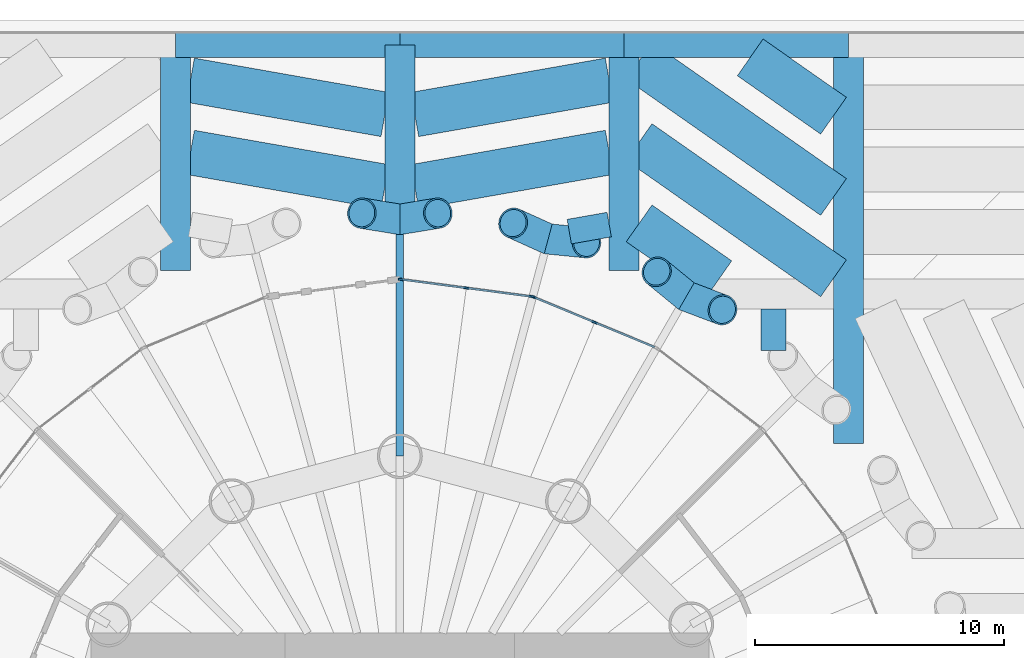
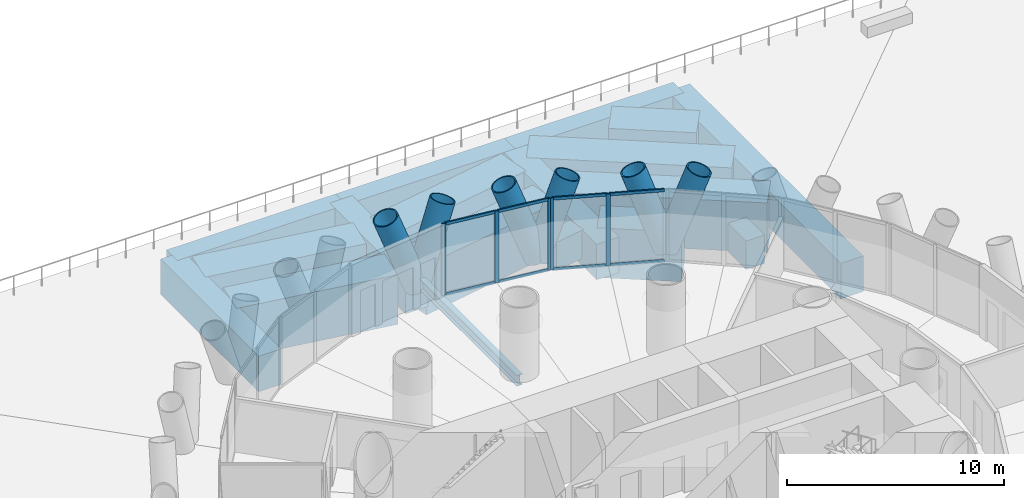
# One storey, part 8 of 19: 19 members, 18 beams, 2 elements without a shape of their own.
"""IFC4 building model written with IfcOpenShell, lengths in metres."""

import ifcopenshell
import ifcopenshell.guid

model = None  # the IFC model being written
_history = None  # IfcOwnerHistory: only IFC2X3 demands one
_inside = {}  # id of a spatial element -> (the spatial element, [elements in it])
_under = {}  # id of a project, library or spatial element -> (it, [spatial elements below it])
_declared = {}  # id of a project -> (the project, [libraries it declares])
_typed = {}  # id of a type object -> (the type object, [elements of that type])
_made_of = {}  # id of a material, layer set ... -> (it, [elements and type objects made of it])


def new_model(schema):
    """Start an empty IFC model of exactly this schema.

    Asked for "IFC4X3", IfcOpenShell would pick the latest addendum, in which some entities
    have other attributes; the version numbers below select the first issue.
    IFC2X3 requires an IfcOwnerHistory on every rooted entity: one is made here for all.
    """
    global model, _history
    if schema == "IFC4X3":
        model = ifcopenshell.file(schema_version=(4, 3, 0, 0))
    else:
        model = ifcopenshell.file(schema=schema)
    _inside.clear()
    _under.clear()
    _declared.clear()
    _typed.clear()
    _made_of.clear()
    _history = None
    if model.schema == "IFC2X3":
        org = make("IfcOrganization", Name="unknown")
        user = make(
            "IfcPersonAndOrganization",
            ThePerson=make("IfcPerson", FamilyName="unknown"),
            TheOrganization=org,
        )
        app = make(
            "IfcApplication",
            ApplicationDeveloper=org,
            Version="unknown",
            ApplicationFullName="unknown",
            ApplicationIdentifier="unknown",
        )
        _history = make(
            "IfcOwnerHistory",
            OwningUser=user,
            OwningApplication=app,
            ChangeAction="ADDED",
            CreationDate=0,
        )
    return model


def make(cls, **values):
    """One entity of the class cls with the attributes given. An attribute that is None is left unset."""
    return model.create_entity(
        cls, **{name: value for name, value in values.items() if value is not None}
    )


def rooted(cls, **values):
    """An entity with a GlobalId (a new one), such as an element, a storey or a relation."""
    return make(cls, GlobalId=ifcopenshell.guid.new(), OwnerHistory=_history, **values)


def si_unit(unit_type, name, prefix=None):
    """IfcSIUnit, for example si_unit("LENGTHUNIT", "METRE", prefix="MILLI")."""
    return make("IfcSIUnit", UnitType=unit_type, Prefix=prefix, Name=name)


def assignment(units):
    """IfcUnitAssignment: the units of a project."""
    return None if units is None else make("IfcUnitAssignment", Units=units)


def point(xyz):
    """IfcCartesianPoint."""
    return None if xyz is None else make("IfcCartesianPoint", Coordinates=xyz)


def direction(xyz):
    """IfcDirection."""
    return None if xyz is None else make("IfcDirection", DirectionRatios=xyz)


def frame(location, z_axis=None, x_axis=None):
    """IfcAxis2Placement3D, a coordinate frame: its origin and axes. An axis left out is left unset."""
    return make(
        "IfcAxis2Placement3D",
        Location=point(location),
        Axis=direction(z_axis),
        RefDirection=direction(x_axis),
    )


def frame_2d(location, x_axis=None):
    """IfcAxis2Placement2D, a coordinate frame in the plane: its origin and x axis."""
    return make(
        "IfcAxis2Placement2D", Location=point(location), RefDirection=direction(x_axis)
    )


def origin():
    """The frame at (0, 0, 0) with its axes left unset."""
    return frame((0.0, 0.0, 0.0))


def origin_2d():
    """The frame at (0, 0) in the plane with its x axis left unset."""
    return frame_2d((0.0, 0.0))


def place(relative_to, where):
    """IfcLocalPlacement: puts the frame where relative to a parent placement (None: the world)."""
    return make(
        "IfcLocalPlacement", PlacementRelTo=relative_to, RelativePlacement=where
    )


def context(
    kind, dimensions, precision=None, world=None, true_north=None, identifier=None
):
    """IfcGeometricRepresentationContext, for example the 3D "Model" context."""
    return make(
        "IfcGeometricRepresentationContext",
        ContextIdentifier=identifier,
        ContextType=kind,
        CoordinateSpaceDimension=dimensions,
        Precision=precision,
        WorldCoordinateSystem=world,
        TrueNorth=true_north,
    )


def subcontext(parent, identifier, kind, view, scale=None):
    """IfcGeometricRepresentationSubContext, for example "Body" below "Model"."""
    return make(
        "IfcGeometricRepresentationSubContext",
        ContextIdentifier=identifier,
        ContextType=kind,
        ParentContext=parent,
        TargetScale=scale,
        TargetView=view,
    )


def project(units=None, contexts=None):
    """IfcProject with its units and contexts."""
    return rooted(
        "IfcProject",
        Name="project",
        RepresentationContexts=contexts,
        UnitsInContext=assignment(units),
    )


def spatial(cls, under=None, at=None, **own):
    """A site, building, storey or space (cls), placed at a placement, below another one or the project."""
    s = rooted(cls, ObjectPlacement=at, **own)
    if under is not None:
        _under.setdefault(under.id(), (under, []))[1].append(s)
    return s


def profile(cls, at=None, kind="AREA", **sizes):
    """A parametric profile (cls). Its sizes go by their IFC names, for example OverallWidth=200.0."""
    return make(cls, ProfileType=kind, Position=at, **sizes)


def rectangle(**sizes):
    """IfcRectangleProfileDef."""
    return profile("IfcRectangleProfileDef", **sizes)


def hollow_circle(**sizes):
    """IfcCircleHollowProfileDef."""
    return profile("IfcCircleHollowProfileDef", **sizes)


def i_section(**sizes):
    """IfcIShapeProfileDef."""
    return profile("IfcIShapeProfileDef", **sizes)


def extrude(swept, where, along, depth):
    """IfcExtrudedAreaSolid: the profile swept, set in the frame where, extruded along a direction by depth."""
    return make(
        "IfcExtrudedAreaSolid",
        SweptArea=swept,
        Position=where,
        ExtrudedDirection=direction(along),
        Depth=depth,
    )


def shape(context_of_items, identifier, shape_type, items):
    """IfcShapeRepresentation: the items that make up one representation, for example the "Body"."""
    return make(
        "IfcShapeRepresentation",
        ContextOfItems=context_of_items,
        RepresentationIdentifier=identifier,
        RepresentationType=shape_type,
        Items=items,
    )


def material(Name=None, Category=None):
    """IfcMaterial."""
    return make("IfcMaterial", Name=Name, Category=Category)


def material_profile(
    of_material, cross_section, Name=None, Category=None, Priority=None
):
    """IfcMaterialProfile: a cross section and its material."""
    return make(
        "IfcMaterialProfile",
        Name=Name,
        Material=of_material,
        Profile=cross_section,
        Priority=Priority,
        Category=Category,
    )


def profile_set(profiles, Name=None, composite=None):
    """IfcMaterialProfileSet."""
    return make(
        "IfcMaterialProfileSet",
        Name=Name,
        MaterialProfiles=profiles,
        CompositeProfile=composite,
    )


def made_of(thing, what):
    """Note that an element or type object is made of a material, layer set ...; save() writes the relation."""
    if what is not None:
        _made_of.setdefault(what.id(), (what, []))[1].append(thing)
    return thing


def type_object(cls, material=None, **own):
    """A type object (cls), such as IfcWallType, which elements share."""
    return made_of(rooted(cls, **own), material)


def element(
    cls,
    number,
    at=None,
    inside=None,
    cuts=None,
    type_object=None,
    material=None,
    context=None,
    identifier="Body",
    shape_type=None,
    held_by="IfcProductDefinitionShape",
    body=None,
    shapes=None,
    **own,
):
    """One element of the class cls, such as IfcWall. Its Tag is "e" and its number.

    at: its placement. inside: the storey or other place that contains it. cuts: it is an
    opening in that element (IfcRelVoidsElement). A single representation is given by context,
    identifier, shape_type and body (its items); several are given by shapes. held_by: the class
    of the entity that holds the representations. save() writes the other relations.
    """
    e = rooted(cls, Tag="e%d" % number, ObjectPlacement=at, **own)
    if body is not None:
        shapes = [shape(context, identifier, shape_type, body)]
    if shapes is not None:
        e.Representation = make(held_by, Representations=shapes)
    if inside is not None:
        _inside.setdefault(inside.id(), (inside, []))[1].append(e)
    if cuts is not None:
        rooted(
            "IfcRelVoidsElement", RelatingBuildingElement=cuts, RelatedOpeningElement=e
        )
    if type_object is not None:
        _typed.setdefault(type_object.id(), (type_object, []))[1].append(e)
    return made_of(e, material)


def aggregate(whole, parts):
    """IfcRelAggregates: a whole, such as a stair, and the parts it consists of."""
    return rooted("IfcRelAggregates", RelatingObject=whole, RelatedObjects=parts)


def save(model, path):
    """Write the relations noted so far, then the file.

    IfcRelAggregates (storeys below a building ...), IfcRelContainedInSpatialStructure (elements
    in a storey), IfcRelDefinesByType, IfcRelAssociatesMaterial and IfcRelDeclares: one each for
    every whole, place, type object, material and project.
    """
    for whole, parts in _under.values():
        aggregate(whole, parts)
    for where, things in _inside.values():
        rooted(
            "IfcRelContainedInSpatialStructure",
            RelatedElements=things,
            RelatingStructure=where,
        )
    for kind, things in _typed.values():
        rooted("IfcRelDefinesByType", RelatedObjects=things, RelatingType=kind)
    for what, things in _made_of.values():
        rooted("IfcRelAssociatesMaterial", RelatedObjects=things, RelatingMaterial=what)
    for by, libraries in _declared.values():
        rooted("IfcRelDeclares", RelatingContext=by, RelatedDefinitions=libraries)
    model.write(path)


model = new_model("IFC4")

# Units and contexts
model_context = context("Model", 3, precision=1e-05, world=origin(), true_north=direction((0.0, 1.0)))
body_context = subcontext(model_context, "Body", "Model", "MODEL_VIEW")
ifc_project = project(units=[si_unit("LENGTHUNIT", "METRE"), si_unit("AREAUNIT", "SQUARE_METRE"), si_unit("VOLUMEUNIT", "CUBIC_METRE"), si_unit("PLANEANGLEUNIT", "RADIAN"), si_unit("MASSUNIT", "GRAM", prefix="KILO")], contexts=[model_context])

# Site, building, storey
site_placement = place(None, origin())
site = spatial("IfcSite", under=ifc_project, at=site_placement, CompositionType="ELEMENT")
building_placement = place(site_placement, origin())
building = spatial("IfcBuilding", under=site, at=building_placement, Name="Qaws Media Tower", CompositionType="ELEMENT")
storey_placement = place(building_placement, frame((0.0, 0.0, 26.0)))
storey = spatial("IfcBuildingStorey", under=building, at=storey_placement, Name="L04", CompositionType="ELEMENT", Elevation=26.0)

# Curtain wall, members
ifc_material_1 = material(Name="Aluminium and clear glass", Category="aluminium")
curtain_wall_type = type_object("IfcCurtainWallType", Name="Unitised curtain wall CW-A", PredefinedType="NOTDEFINED", material=ifc_material_1)
curtain_wall_1_placement = place(storey_placement, origin())
curtain_wall_1 = element("IfcCurtainWall", 1, at=curtain_wall_1_placement, inside=storey, type_object=curtain_wall_type, Name="CWA curtain wall L04-05", PredefinedType="NOTDEFINED")
ifc_material_2 = material(Name="Aluminium mullion", Category="aluminium")
ifc_material_profile_1 = material_profile(ifc_material_2, rectangle(XDim=0.080078125, YDim=0.199951171875, at=origin_2d()), Name="80x200")
ifc_profile_set_1 = profile_set([ifc_material_profile_1], Name="Aluminium mullion")
member_type_1 = type_object("IfcMemberType", Name="Curtain wall mullion 80x200", PredefinedType="MULLION", material=ifc_profile_set_1)
member_1_placement = place(storey_placement, frame((67.81591796875, 68.869140625, 0.0), z_axis=(0.0, 0.0, 1.0), x_axis=(-0.382683457778, -0.923879521985, 0.0)))
member_1 = element("IfcMember", 2, at=member_1_placement, type_object=member_type_1, Name="CWA mullion 2", PredefinedType="MULLION", context=body_context, shape_type="SweptSolid", body=[
    extrude(rectangle(XDim=0.080078125, YDim=0.199951171875, at=origin_2d()), origin(), (0.0, 0.0, 1.0), 4.0400390625),
])
member_2_placement = place(storey_placement, frame((65.36865234375, 69.8828125, 0.0), z_axis=(0.0, 0.0, 1.0), x_axis=(-0.382683457778, -0.923879521985, 0.0)))
member_2 = element("IfcMember", 3, at=member_2_placement, type_object=member_type_1, Name="CWA mullion 3", PredefinedType="MULLION", context=body_context, shape_type="SweptSolid", body=[
    extrude(rectangle(XDim=0.080078125, YDim=0.199951171875, at=origin_2d()), origin(), (0.0, 0.0, 1.0), 4.0400390625),
])

curtain_wall_2_placement = place(storey_placement, origin())
curtain_wall_2 = element("IfcCurtainWall", 4, at=curtain_wall_2_placement, inside=storey, type_object=curtain_wall_type, Name="CWA curtain wall L04-06", PredefinedType="NOTDEFINED")
member_3_placement = place(storey_placement, frame((65.2919921875, 69.9033203125, 0.0), z_axis=(0.0, 0.0, 1.0), x_axis=(-0.130526204073, -0.991444859813, 0.0)))
member_3 = element("IfcMember", 5, at=member_3_placement, type_object=member_type_1, Name="CWA mullion 1", PredefinedType="MULLION", context=body_context, shape_type="SweptSolid", body=[
    extrude(rectangle(XDim=0.080078125, YDim=0.199951171875, at=origin_2d()), origin(), (0.0, 0.0, 1.0), 4.0400390625),
])
member_4_placement = place(storey_placement, frame((62.665771484375, 70.2490234375, 0.0), z_axis=(0.0, 0.0, 1.0), x_axis=(-0.130526204073, -0.991444859813, 0.0)))
member_4 = element("IfcMember", 6, at=member_4_placement, type_object=member_type_1, Name="CWA mullion 2", PredefinedType="MULLION", context=body_context, shape_type="SweptSolid", body=[
    extrude(rectangle(XDim=0.080078125, YDim=0.199951171875, at=origin_2d()), origin(), (0.0, 0.0, 1.0), 4.0400390625),
])
member_5_placement = place(storey_placement, frame((60.03955078125, 70.5947265625, 0.0), z_axis=(0.0, 0.0, 1.0), x_axis=(-0.130526204073, -0.991444859813, 0.0)))
member_5 = element("IfcMember", 7, at=member_5_placement, type_object=member_type_1, Name="CWA mullion 3", PredefinedType="MULLION", context=body_context, shape_type="SweptSolid", body=[
    extrude(rectangle(XDim=0.080078125, YDim=0.199951171875, at=origin_2d()), origin(), (0.0, 0.0, 1.0), 4.0400390625),
])

# Member
ifc_material_3 = material(Name="Aluminium transom", Category="aluminium")
ifc_material_profile_2 = material_profile(ifc_material_3, rectangle(XDim=0.080078125, YDim=0.159912109375, at=origin_2d()), Name="80x160")
ifc_profile_set_2 = profile_set([ifc_material_profile_2], Name="Aluminium transom")
member_type_2 = type_object("IfcMemberType", Name="Curtain wall transom 80x160", PredefinedType="USERDEFINED", material=ifc_profile_set_2)
member_6_placement = place(storey_placement, frame((70.22607421875, 67.870849609375, 0.0400390625), z_axis=(-0.923898685977, 0.382637188535, 0.0), x_axis=(-0.382637188535, -0.923898685977, 0.0)))
member_6 = element("IfcMember", 8, at=member_6_placement, type_object=member_type_2, Name="CWA transom 1.1", ObjectType="TRANSOM", PredefinedType="USERDEFINED", context=body_context, shape_type="SweptSolid", body=[
    extrude(rectangle(XDim=0.080078125, YDim=0.159912109375, at=origin_2d()), origin(), (0.0, 0.0, 1.0), 2.56884765625),
])

member_7_placement = place(storey_placement, frame((70.22607421875, 67.870849609375, 4.0), z_axis=(-0.923898685977, 0.382637188535, 0.0), x_axis=(-0.382637188535, -0.923898685977, 0.0)))
member_7 = element("IfcMember", 9, at=member_7_placement, type_object=member_type_2, Name="CWA transom 1.2", ObjectType="TRANSOM", PredefinedType="USERDEFINED", context=body_context, shape_type="SweptSolid", body=[
    extrude(rectangle(XDim=0.080078125, YDim=0.159912109375, at=origin_2d()), origin(), (0.0, 0.0, 1.0), 2.56884765625),
])

member_8_placement = place(storey_placement, frame((67.77880859375, 68.884521484375, 0.0400390625), z_axis=(-0.923898685977, 0.382637188535, 0.0), x_axis=(-0.382637188535, -0.923898685977, 0.0)))
member_8 = element("IfcMember", 10, at=member_8_placement, type_object=member_type_2, Name="CWA transom 2.1", ObjectType="TRANSOM", PredefinedType="USERDEFINED", context=body_context, shape_type="SweptSolid", body=[
    extrude(rectangle(XDim=0.080078125, YDim=0.159912109375, at=origin_2d()), origin(), (0.0, 0.0, 1.0), 2.56884765625),
])

member_9_placement = place(storey_placement, frame((67.77880859375, 68.884521484375, 4.0), z_axis=(-0.923898685977, 0.382637188535, 0.0), x_axis=(-0.382637188535, -0.923898685977, 0.0)))
member_9 = element("IfcMember", 11, at=member_9_placement, type_object=member_type_2, Name="CWA transom 2.2", ObjectType="TRANSOM", PredefinedType="USERDEFINED", context=body_context, shape_type="SweptSolid", body=[
    extrude(rectangle(XDim=0.080078125, YDim=0.159912109375, at=origin_2d()), origin(), (0.0, 0.0, 1.0), 2.56884765625),
])

aggregate(curtain_wall_1, [member_1, member_2, member_6, member_7, member_8, member_9])

member_10_placement = place(storey_placement, frame((65.25244140625, 69.908447265625, 0.0400390625), z_axis=(-0.991437466398, 0.130582350348, 0.0), x_axis=(-0.130582350348, -0.991437466398, 0.0)))
member_10 = element("IfcMember", 12, at=member_10_placement, type_object=member_type_2, Name="CWA transom 1.1", ObjectType="TRANSOM", PredefinedType="USERDEFINED", context=body_context, shape_type="SweptSolid", body=[
    extrude(rectangle(XDim=0.080078125, YDim=0.159912109375, at=origin_2d()), origin(), (0.0, 0.0, 1.0), 2.56884765625),
])

member_11_placement = place(storey_placement, frame((65.25244140625, 69.908447265625, 4.0), z_axis=(-0.991437466398, 0.130582350348, 0.0), x_axis=(-0.130582350348, -0.991437466398, 0.0)))
member_11 = element("IfcMember", 13, at=member_11_placement, type_object=member_type_2, Name="CWA transom 1.2", ObjectType="TRANSOM", PredefinedType="USERDEFINED", context=body_context, shape_type="SweptSolid", body=[
    extrude(rectangle(XDim=0.080078125, YDim=0.159912109375, at=origin_2d()), origin(), (0.0, 0.0, 1.0), 2.56884765625),
])

member_12_placement = place(storey_placement, frame((62.626220703125, 70.254150390625, 0.0400390625), z_axis=(-0.991437466398, 0.130582350348, 0.0), x_axis=(-0.130582350348, -0.991437466398, 0.0)))
member_12 = element("IfcMember", 14, at=member_12_placement, type_object=member_type_2, Name="CWA transom 2.1", ObjectType="TRANSOM", PredefinedType="USERDEFINED", context=body_context, shape_type="SweptSolid", body=[
    extrude(rectangle(XDim=0.080078125, YDim=0.159912109375, at=origin_2d()), origin(), (0.0, 0.0, 1.0), 2.56884765625),
])

member_13_placement = place(storey_placement, frame((62.626220703125, 70.254150390625, 4.0), z_axis=(-0.991437466398, 0.130582350348, 0.0), x_axis=(-0.130582350348, -0.991437466398, 0.0)))
member_13 = element("IfcMember", 15, at=member_13_placement, type_object=member_type_2, Name="CWA transom 2.2", ObjectType="TRANSOM", PredefinedType="USERDEFINED", context=body_context, shape_type="SweptSolid", body=[
    extrude(rectangle(XDim=0.080078125, YDim=0.159912109375, at=origin_2d()), origin(), (0.0, 0.0, 1.0), 2.56884765625),
])

aggregate(curtain_wall_2, [member_3, member_4, member_5, member_10, member_11, member_12, member_13])

# Members
ifc_material_4 = material(Name="Steel S460", Category="steel")
ifc_material_profile_3 = material_profile(ifc_material_4, hollow_circle(Radius=0.609619140625, WallThickness=0.06005859375, at=origin_2d()), Name="CHS 1219x60")
ifc_profile_set_3 = profile_set([ifc_material_profile_3], Name="Steel S460")
member_type_3 = type_object("IfcMemberType", Name="Diagrid member CHS 1219x60", PredefinedType="USERDEFINED", material=ifc_profile_set_3)
for number, where, z_axis, x_axis, name in (
    (16, (71.5, 69.918701171875, -0.909912109375), (-0.266955405454, 0.218671012683, 0.93857221337), (-0.633676776351, -0.77359792083, 0.0), "DG1 diagrid L04 A05"),
    (17, (71.5, 69.918701171875, -0.909912109375), (0.322874178804, -0.121882547389, 0.938561084482), (0.353166911029, 0.935560331007, 0.0), "DG1 diagrid L04 B05"),
    (18, (65.952880859375, 72.21630859375, -0.909912109375), (-0.314474007821, 0.142124356415, 0.938566335279), (-0.411836624979, -0.911257699186, 0.0), "DG1 diagrid L04 A06"),
    (19, (65.952880859375, 72.21630859375, -0.909912109375), (0.343391645998, -0.034153665458, 0.938571097251), (0.098971482221, 0.99509027013, 0.0), "DG1 diagrid L04 B06"),
    (20, (60.0, 73.0, -0.909912109375), (-0.340552153241, 0.055867575283, 0.938564353124), (-0.161886075134, -0.986809454088, 0.0), "DG1 diagrid L04 A07"),
    (21, (60.0, 73.0, -0.909912109375), (0.340552153241, 0.055867575283, 0.938564353124), (-0.161886075134, 0.986809454088, 0.0), "DG1 diagrid L04 B07"),
):
    element("IfcMember", number, at=place(storey_placement, frame(where, z_axis=z_axis, x_axis=x_axis)), inside=storey, type_object=member_type_3, Name=name, ObjectType="DIAGRID", PredefinedType="USERDEFINED", context=body_context, shape_type="SweptSolid", body=[
        extrude(hollow_circle(Radius=0.609619140625, WallThickness=0.06005859375, at=origin_2d()), origin(), (0.0, 0.0, 1.0), 4.474853515625),
    ])

# Beams
ifc_material_5 = material(Name="Concrete C60/75", Category="concrete")
ifc_material_profile_4 = material_profile(ifc_material_5, rectangle(XDim=1.199951171875, YDim=2.0, at=origin_2d()), Name="RC 1200x2000")
ifc_profile_set_4 = profile_set([ifc_material_profile_4], Name="Concrete C60/75")
beam_type_1 = type_object("IfcBeamType", Name="Podium long trimmer beam RC 1200x2000", PredefinedType="BEAM", material=ifc_profile_set_4)
beam_1_placement = place(storey_placement, frame((51.0, 80.0, -1.300048828125), z_axis=(0.0, -1.0, 0.0), x_axis=(1.0, 0.0, 0.0)))
element("IfcBeam", 22, at=beam_1_placement, inside=storey, type_object=beam_type_1, Name="PB11 beam 5/G to the tower ring", PredefinedType="BEAM", context=body_context, shape_type="SweptSolid", body=[
    extrude(rectangle(XDim=1.199951171875, YDim=2.0, at=origin_2d()), origin(), (0.0, 0.0, 1.0), 9.0458984375),
])
beam_2_placement = place(storey_placement, frame((60.0, 80.0, -1.300048828125), z_axis=(0.0, -1.0, 0.0), x_axis=(1.0, 0.0, 0.0)))
element("IfcBeam", 23, at=beam_2_placement, inside=storey, type_object=beam_type_1, Name="PB11 beam 6/G to the tower ring", PredefinedType="BEAM", context=body_context, shape_type="SweptSolid", body=[
    extrude(rectangle(XDim=1.199951171875, YDim=2.0, at=origin_2d()), origin(), (0.0, 0.0, 1.0), 7.0),
])
beam_3_placement = place(storey_placement, frame((69.0, 80.0, -1.300048828125), z_axis=(0.0, -1.0, 0.0), x_axis=(1.0, 0.0, 0.0)))
element("IfcBeam", 24, at=beam_3_placement, inside=storey, type_object=beam_type_1, Name="PB11 beam 7/G to the tower ring", PredefinedType="BEAM", context=body_context, shape_type="SweptSolid", body=[
    extrude(rectangle(XDim=1.199951171875, YDim=2.0, at=origin_2d()), origin(), (0.0, 0.0, 1.0), 9.0458984375),
])
beam_4_placement = place(storey_placement, frame((78.0, 80.0, -1.300048828125), z_axis=(0.0, -1.0, 0.0), x_axis=(1.0, 0.0, 0.0)))
element("IfcBeam", 25, at=beam_4_placement, inside=storey, type_object=beam_type_1, Name="PB11 beam 8/G to the tower ring", PredefinedType="BEAM", context=body_context, shape_type="SweptSolid", body=[
    extrude(rectangle(XDim=1.199951171875, YDim=2.0, at=origin_2d()), origin(), (0.0, 0.0, 1.0), 15.999755859375),
])
ifc_material_6 = material(Name="Concrete C60/75", Category="concrete")
ifc_material_profile_5 = material_profile(ifc_material_6, rectangle(XDim=1.0, YDim=1.60009765625, at=origin_2d()), Name="RC 1000x1600")
ifc_profile_set_5 = profile_set([ifc_material_profile_5], Name="Concrete C60/75")
beam_type_2 = type_object("IfcBeamType", Name="Podium roof girder RC 1000x1600", PredefinedType="BEAM", material=ifc_profile_set_5)
for number, where, z_axis, x_axis, name in (
    (26, (51.0, 80.0, -1.10009765625), (1.0, 0.0, 0.0), (0.0, 1.0, 0.0), "PB10 beam 5-6/G"),
    (27, (60.0, 80.0, -1.10009765625), (1.0, 0.0, 0.0), (0.0, 1.0, 0.0), "PB10 beam 6-7/G"),
    (28, (69.0, 80.0, -1.10009765625), (1.0, 0.0, 0.0), (0.0, 1.0, 0.0), "PB10 beam 7-8/G"),
):
    element("IfcBeam", number, at=place(storey_placement, frame(where, z_axis=z_axis, x_axis=x_axis)), inside=storey, type_object=beam_type_2, Name=name, PredefinedType="BEAM", context=body_context, shape_type="SweptSolid", body=[
        extrude(rectangle(XDim=1.0, YDim=1.60009765625, at=origin_2d()), origin(), (0.0, 0.0, 1.0), 9.0),
    ])
ifc_material_7 = material(Name="Concrete C60/75", Category="concrete")
ifc_material_profile_6 = material_profile(ifc_material_7, rectangle(XDim=1.0, YDim=1.60009765625, at=origin_2d()), Name="RC 1000x1600")
ifc_profile_set_6 = profile_set([ifc_material_profile_6], Name="Concrete C60/75")
beam_type_3 = type_object("IfcBeamType", Name="Podium roof ring secondary beam RC 1000x1600", PredefinedType="BEAM", material=ifc_profile_set_6)
beam_5_placement = place(storey_placement, frame((66.798095703125, 72.508544921875, -1.10009765625), z_axis=(0.984804706525, 0.173665454268, 0.0), x_axis=(-0.173665454268, 0.984804706525, 0.0)))
element("IfcBeam", 29, at=beam_5_placement, inside=storey, type_object=beam_type_3, Name="PB13 beam bay 6F line 1", PredefinedType="BEAM", context=body_context, shape_type="SweptSolid", body=[
    extrude(rectangle(XDim=1.0, YDim=1.60009765625, at=origin_2d()), origin(), (0.0, 0.0, 1.0), 1.62646484375),
])
beam_6_placement = place(storey_placement, frame((75.0, 67.737060546875, -1.10009765625), z_axis=(0.0, 1.0, 0.0), x_axis=(-1.0, 0.0, 0.0)))
element("IfcBeam", 30, at=beam_6_placement, inside=storey, type_object=beam_type_3, Name="PB13 beam bay 7E line 1", PredefinedType="BEAM", context=body_context, shape_type="SweptSolid", body=[
    extrude(rectangle(XDim=1.0, YDim=1.60009765625, at=origin_2d()), origin(), (0.0, 0.0, 1.0), 1.662841796875),
])
ifc_material_8 = material(Name="Concrete C60/75", Category="concrete")
ifc_material_profile_7 = material_profile(ifc_material_8, rectangle(XDim=1.800048828125, YDim=2.800048828125, at=origin_2d()), Name="RC 1800x2800")
ifc_profile_set_7 = profile_set([ifc_material_profile_7], Name="Concrete C60/75")
beam_type_4 = type_object("IfcBeamType", Name="Podium roof secondary beam RC 1800x2800", PredefinedType="BEAM", material=ifc_profile_set_7)
for number, where, z_axis, x_axis, name in (
    (31, (59.39990234375, 77.208984375, -1.699951171875), (-0.984804033163, 0.173669272657, 0.0), (-0.173669272657, -0.984804033163, 0.0), "PB8 beam bay 5F line 1"),
    (32, (59.39990234375, 74.312255859375, -1.699951171875), (-0.984804033163, 0.173669272657, 0.0), (-0.173669272657, -0.984804033163, 0.0), "PB8 beam bay 5F line 2"),
    (33, (60.60009765625, 74.312255859375, -1.699951171875), (0.984804033163, 0.173669272657, 0.0), (-0.173669272657, 0.984804033163, 0.0), "PB8 beam bay 6F line 2"),
    (34, (60.60009765625, 77.208984375, -1.699951171875), (0.984804033163, 0.173669272657, 0.0), (-0.173669272657, 0.984804033163, 0.0), "PB8 beam bay 6F line 3"),
):
    element("IfcBeam", number, at=place(storey_placement, frame(where, z_axis=z_axis, x_axis=x_axis)), inside=storey, type_object=beam_type_4, Name=name, PredefinedType="BEAM", context=body_context, shape_type="SweptSolid", body=[
        extrude(rectangle(XDim=1.800048828125, YDim=2.800048828125, at=origin_2d()), origin(), (0.0, 0.0, 1.0), 7.920166015625),
    ])
beam_7_placement = place(storey_placement, frame((77.39990234375, 77.15966796875, -1.699951171875), z_axis=(-0.819127892639, 0.573610926937, 0.0), x_axis=(-0.573610926937, -0.819127892639, 0.0)))
element("IfcBeam", 35, at=beam_7_placement, inside=storey, type_object=beam_type_4, Name="PB8 beam bay 7F line 1", PredefinedType="BEAM", context=body_context, shape_type="SweptSolid", body=[
    extrude(rectangle(XDim=1.800048828125, YDim=2.800048828125, at=origin_2d()), origin(), (0.0, 0.0, 1.0), 4.080078125),
])
for number, where, z_axis, x_axis, name in (
    (36, (77.39990234375, 73.8994140625, -1.699951171875), (-0.819142773334, 0.57358967642, 0.0), (-0.57358967642, -0.819142773334, 0.0), "PB8 beam bay 7F line 2"),
    (37, (77.39990234375, 70.638916015625, -1.699951171875), (-0.819142773334, 0.57358967642, 0.0), (-0.57358967642, -0.819142773334, 0.0), "PB8 beam bay 7F line 3"),
):
    element("IfcBeam", number, at=place(storey_placement, frame(where, z_axis=z_axis, x_axis=x_axis)), inside=storey, type_object=beam_type_4, Name=name, PredefinedType="BEAM", context=body_context, shape_type="SweptSolid", body=[
        extrude(rectangle(XDim=1.800048828125, YDim=2.800048828125, at=origin_2d()), origin(), (0.0, 0.0, 1.0), 9.52197265625),
    ])
beam_8_placement = place(storey_placement, frame((72.79931640625, 70.60009765625, -1.699951171875), z_axis=(-0.819137933963, 0.573596587458, 0.0), x_axis=(-0.573596587458, -0.819137933963, 0.0)))
element("IfcBeam", 38, at=beam_8_placement, inside=storey, type_object=beam_type_4, Name="PB8 beam bay 7F line 4", PredefinedType="BEAM", context=body_context, shape_type="SweptSolid", body=[
    extrude(rectangle(XDim=1.800048828125, YDim=2.800048828125, at=origin_2d()), origin(), (0.0, 0.0, 1.0), 3.905517578125),
])
ifc_material_9 = material(Name="Steel S355", Category="steel")
ifc_material_profile_8 = material_profile(ifc_material_9, i_section(OverallWidth=0.304931640625, OverallDepth=0.6201171875, WebThickness=0.02099609375, FlangeThickness=0.0400390625, FilletRadius=0.027099609375, at=origin_2d()), Name="HE 600 M")
ifc_profile_set_8 = profile_set([ifc_material_profile_8], Name="Steel S355")
beam_type_5 = type_object("IfcBeamType", Name="Radial beam HE 600 M", PredefinedType="BEAM", material=ifc_profile_set_8)
beam_9_placement = place(storey_placement, frame((60.0, 63.5, -0.469970703125), z_axis=(0.0, 1.0, 0.0), x_axis=(-1.0, 0.0, 0.0)))
element("IfcBeam", 39, at=beam_9_placement, inside=storey, type_object=beam_type_5, Name="B1 radial beam L04 07", PredefinedType="BEAM", context=body_context, shape_type="SweptSolid", body=[
    extrude(i_section(OverallWidth=0.304931640625, OverallDepth=0.6201171875, WebThickness=0.02099609375, FlangeThickness=0.0400390625, FilletRadius=0.027099609375, at=origin_2d()), origin(), (0.0, 0.0, 1.0), 9.5),
])

save(model, "model.ifc")
